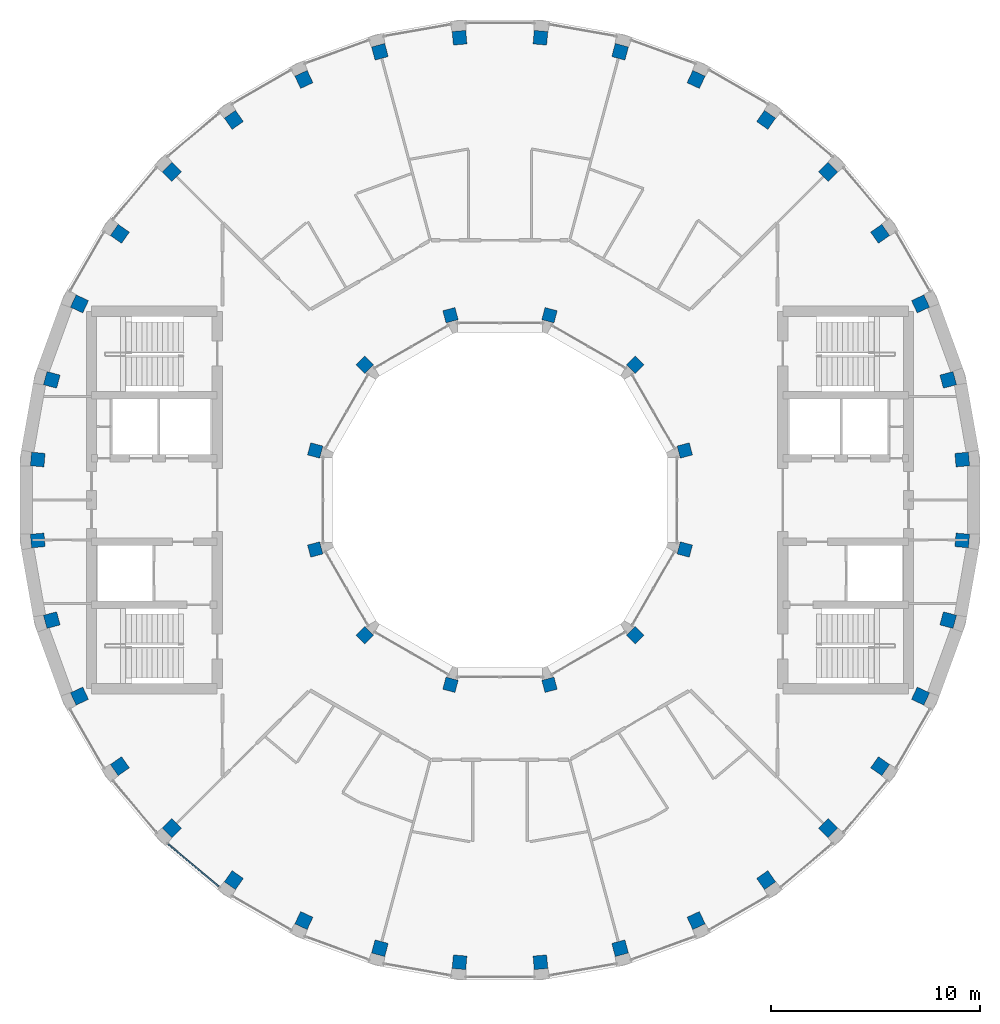
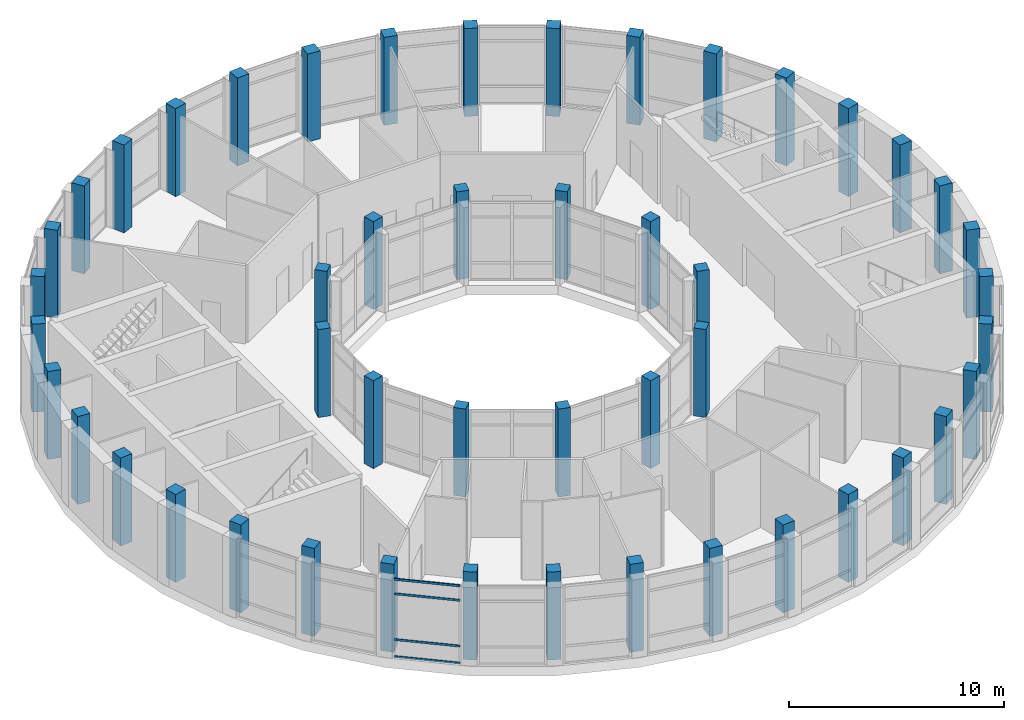
# One storey, part 1 of 16: 48 columns, 4 members, 1 element without a shape of its own.
"""IFC4 building model written with IfcOpenShell, lengths in metres."""

from ifc_helpers import new_model, si_unit, direction, frame, origin, origin_2d, place, context, subcontext, project, spatial, rectangle, extrude, material, layer, layer_set, material_profile, profile_set, type_object, element, aggregate, save


model = new_model("IFC4")

# Units and contexts
model_context = context("Model", 3, precision=1e-05, world=origin(), true_north=direction((0.0, 1.0)))
body_context = subcontext(model_context, "Body", "Model", "MODEL_VIEW")
ifc_project = project(units=[si_unit("LENGTHUNIT", "METRE"), si_unit("AREAUNIT", "SQUARE_METRE"), si_unit("VOLUMEUNIT", "CUBIC_METRE"), si_unit("PLANEANGLEUNIT", "RADIAN"), si_unit("MASSUNIT", "GRAM", prefix="KILO")], contexts=[model_context])

# Site, building, storey
site_placement = place(None, origin())
site = spatial("IfcSite", under=ifc_project, at=site_placement, CompositionType="ELEMENT")
building_placement = place(site_placement, origin())
building = spatial("IfcBuilding", under=site, at=building_placement, Name="Saqina Gate Tower", CompositionType="ELEMENT")
storey_placement = place(building_placement, frame((0.0, 0.0, 279.199951171875)))
storey = spatial("IfcBuildingStorey", under=building, at=storey_placement, Name="L80", CompositionType="ELEMENT", Elevation=279.199951171875)

# Columns
ifc_material_1 = material(Name="Concrete C60/75", Category="concrete")
ifc_material_profile_1 = material_profile(ifc_material_1, rectangle(XDim=0.60009765625, YDim=0.60009765625, at=origin_2d()), Name="RC 600x600")
ifc_profile_set_1 = profile_set([ifc_material_profile_1], Name="Concrete C60/75")
column_type_1 = type_object("IfcColumnType", Name="STR-COL-IN-D", PredefinedType="COLUMN", material=ifc_profile_set_1)
for number, where, z_axis, x_axis, name in (
    (1, (8.821044921875, 2.363525390625, 0.0), (0.0, 0.0, 1.0), (0.965925826289, 0.258819045103, 0.0), "L80-ICL01"),
    (2, (6.45751953125, 6.45751953125, 0.0), (0.0, 0.0, 1.0), (0.707106781187, 0.707106781187, 0.0), "L80-ICL02"),
    (3, (2.363525390625, 8.821044921875, 0.0), (0.0, 0.0, 1.0), (0.258819045103, 0.965925826289, 0.0), "L80-ICL03"),
    (4, (-2.363525390625, 8.821044921875, 0.0), (0.0, 0.0, 1.0), (-0.258819045103, 0.965925826289, 0.0), "L80-ICL04"),
    (5, (-6.45751953125, 6.45751953125, 0.0), (0.0, 0.0, 1.0), (-0.707106781187, 0.707106781187, 0.0), "L80-ICL05"),
    (6, (-8.821044921875, 2.363525390625, 0.0), (0.0, 0.0, 1.0), (-0.965925826289, 0.258819045103, 0.0), "L80-ICL06"),
    (7, (-8.821044921875, -2.363525390625, 0.0), (0.0, 0.0, 1.0), (-0.965925826289, -0.258819045103, 0.0), "L80-ICL07"),
    (8, (-6.45751953125, -6.45751953125, 0.0), (0.0, 0.0, 1.0), (-0.707106781187, -0.707106781187, 0.0), "L80-ICL08"),
    (9, (-2.363525390625, -8.821044921875, 0.0), (0.0, 0.0, 1.0), (-0.258819045103, -0.965925826289, 0.0), "L80-ICL09"),
    (10, (2.363525390625, -8.821044921875, 0.0), (0.0, 0.0, 1.0), (0.258819045103, -0.965925826289, 0.0), "L80-ICL10"),
    (11, (6.45751953125, -6.45751953125, 0.0), (0.0, 0.0, 1.0), (0.707106781187, -0.707106781187, 0.0), "L80-ICL11"),
    (12, (8.821044921875, -2.363525390625, 0.0), (0.0, 0.0, 1.0), (0.965925826289, -0.258819045103, 0.0), "L80-ICL12"),
):
    element("IfcColumn", number, at=place(storey_placement, frame(where, z_axis=z_axis, x_axis=x_axis)), inside=storey, type_object=column_type_1, Name=name, PredefinedType="COLUMN", context=body_context, shape_type="SweptSolid", body=[
        extrude(rectangle(XDim=0.60009765625, YDim=0.60009765625, at=origin_2d()), origin(), (0.0, 0.0, 1.0), 5.0),
    ])
ifc_material_2 = material(Name="Concrete C60/75", Category="concrete")
ifc_material_profile_2 = material_profile(ifc_material_2, rectangle(XDim=0.64990234375, YDim=0.64990234375, at=origin_2d()), Name="RC 650x650")
ifc_profile_set_2 = profile_set([ifc_material_profile_2], Name="Concrete C60/75")
column_type_2 = type_object("IfcColumnType", Name="STR-COL-OUT-D", PredefinedType="COLUMN", material=ifc_profile_set_2)
for number, where, z_axis, x_axis, name in (
    (13, (22.065673828125, 1.930419921875, 0.0), (0.0, 0.0, 1.0), (0.996194698092, 0.087155742748, 0.0), "L80-COL01"),
    (14, (21.395263671875, 5.73291015625, 0.0), (0.0, 0.0, 1.0), (0.965925826289, 0.258819045103, 0.0), "L80-COL02"),
    (15, (20.07470703125, 9.361083984375, 0.0), (0.0, 0.0, 1.0), (0.906307787037, 0.422618261741, 0.0), "L80-COL03"),
    (16, (18.144287109375, 12.704833984375, 0.0), (0.0, 0.0, 1.0), (0.819152044289, 0.573576436351, 0.0), "L80-COL04"),
    (17, (15.662353515625, 15.662353515625, 0.0), (0.0, 0.0, 1.0), (0.707106781187, 0.707106781187, 0.0), "L80-COL05"),
    (18, (12.704833984375, 18.144287109375, 0.0), (0.0, 0.0, 1.0), (0.573576436351, 0.819152044289, 0.0), "L80-COL06"),
    (19, (9.361083984375, 20.07470703125, 0.0), (0.0, 0.0, 1.0), (0.422618261741, 0.906307787037, 0.0), "L80-COL07"),
    (20, (5.73291015625, 21.395263671875, 0.0), (0.0, 0.0, 1.0), (0.258819045103, 0.965925826289, 0.0), "L80-COL08"),
    (21, (1.930419921875, 22.065673828125, 0.0), (0.0, 0.0, 1.0), (0.087155742748, 0.996194698092, 0.0), "L80-COL09"),
    (22, (-1.930419921875, 22.065673828125, 0.0), (0.0, 0.0, 1.0), (-0.087155742748, 0.996194698092, 0.0), "L80-COL10"),
    (23, (-5.73291015625, 21.395263671875, 0.0), (0.0, 0.0, 1.0), (-0.258819045103, 0.965925826289, 0.0), "L80-COL11"),
    (24, (-9.361083984375, 20.07470703125, 0.0), (0.0, 0.0, 1.0), (-0.422618261741, 0.906307787037, 0.0), "L80-COL12"),
    (25, (-12.704833984375, 18.144287109375, 0.0), (0.0, 0.0, 1.0), (-0.573576436351, 0.819152044289, 0.0), "L80-COL13"),
    (26, (-15.662353515625, 15.662353515625, 0.0), (0.0, 0.0, 1.0), (-0.707106781187, 0.707106781187, 0.0), "L80-COL14"),
    (27, (-18.144287109375, 12.704833984375, 0.0), (0.0, 0.0, 1.0), (-0.819152044289, 0.573576436351, 0.0), "L80-COL15"),
    (28, (-20.07470703125, 9.361083984375, 0.0), (0.0, 0.0, 1.0), (-0.906307787037, 0.422618261741, 0.0), "L80-COL16"),
    (29, (-21.395263671875, 5.73291015625, 0.0), (0.0, 0.0, 1.0), (-0.965925826289, 0.258819045103, 0.0), "L80-COL17"),
    (30, (-22.065673828125, 1.930419921875, 0.0), (0.0, 0.0, 1.0), (-0.996194698092, 0.087155742748, 0.0), "L80-COL18"),
    (31, (-22.065673828125, -1.930419921875, 0.0), (0.0, 0.0, 1.0), (-0.996194698092, -0.087155742748, 0.0), "L80-COL19"),
    (32, (-21.395263671875, -5.73291015625, 0.0), (0.0, 0.0, 1.0), (-0.965925826289, -0.258819045103, 0.0), "L80-COL20"),
    (33, (-20.07470703125, -9.361083984375, 0.0), (0.0, 0.0, 1.0), (-0.906307787037, -0.422618261741, 0.0), "L80-COL21"),
    (34, (-18.144287109375, -12.704833984375, 0.0), (0.0, 0.0, 1.0), (-0.819152044289, -0.573576436351, 0.0), "L80-COL22"),
    (35, (-15.662353515625, -15.662353515625, 0.0), (0.0, 0.0, 1.0), (-0.707106781187, -0.707106781187, 0.0), "L80-COL23"),
    (36, (-12.704833984375, -18.144287109375, 0.0), (0.0, 0.0, 1.0), (-0.573576436351, -0.819152044289, 0.0), "L80-COL24"),
    (37, (-9.361083984375, -20.07470703125, 0.0), (0.0, 0.0, 1.0), (-0.422618261741, -0.906307787037, 0.0), "L80-COL25"),
    (38, (-5.73291015625, -21.395263671875, 0.0), (0.0, 0.0, 1.0), (-0.258819045103, -0.965925826289, 0.0), "L80-COL26"),
    (39, (-1.930419921875, -22.065673828125, 0.0), (0.0, 0.0, 1.0), (-0.087155742748, -0.996194698092, 0.0), "L80-COL27"),
    (40, (1.930419921875, -22.065673828125, 0.0), (0.0, 0.0, 1.0), (0.087155742748, -0.996194698092, 0.0), "L80-COL28"),
    (41, (5.73291015625, -21.395263671875, 0.0), (0.0, 0.0, 1.0), (0.258819045103, -0.965925826289, 0.0), "L80-COL29"),
    (42, (9.361083984375, -20.07470703125, 0.0), (0.0, 0.0, 1.0), (0.422618261741, -0.906307787037, 0.0), "L80-COL30"),
    (43, (12.704833984375, -18.144287109375, 0.0), (0.0, 0.0, 1.0), (0.573576436351, -0.819152044289, 0.0), "L80-COL31"),
    (44, (15.662353515625, -15.662353515625, 0.0), (0.0, 0.0, 1.0), (0.707106781187, -0.707106781187, 0.0), "L80-COL32"),
    (45, (18.144287109375, -12.704833984375, 0.0), (0.0, 0.0, 1.0), (0.819152044289, -0.573576436351, 0.0), "L80-COL33"),
    (46, (20.07470703125, -9.361083984375, 0.0), (0.0, 0.0, 1.0), (0.906307787037, -0.422618261741, 0.0), "L80-COL34"),
    (47, (21.395263671875, -5.73291015625, 0.0), (0.0, 0.0, 1.0), (0.965925826289, -0.258819045103, 0.0), "L80-COL35"),
    (48, (22.065673828125, -1.930419921875, 0.0), (0.0, 0.0, 1.0), (0.996194698092, -0.087155742748, 0.0), "L80-COL36"),
):
    element("IfcColumn", number, at=place(storey_placement, frame(where, z_axis=z_axis, x_axis=x_axis)), inside=storey, type_object=column_type_2, Name=name, PredefinedType="COLUMN", context=body_context, shape_type="SweptSolid", body=[
        extrude(rectangle(XDim=0.64990234375, YDim=0.64990234375, at=origin_2d()), origin(), (0.0, 0.0, 1.0), 5.0),
    ])

# Curtain wall, members
ifc_material_3 = material(Name="Aluminium glazing", Category="aluminium")
ifc_layer = layer(ifc_material_3, 0.159912109375)
ifc_layer_set = layer_set([ifc_layer], Name="CWT-2")
curtain_wall_type = type_object("IfcCurtainWallType", Name="CWT-2", PredefinedType="NOTDEFINED", material=ifc_layer_set)
curtain_wall_placement = place(storey_placement, origin())
curtain_wall = element("IfcCurtainWall", 49, at=curtain_wall_placement, inside=storey, type_object=curtain_wall_type, Name="Sky lounge glazing facet 23", PredefinedType="NOTDEFINED")
ifc_material_4 = material(Name="Aluminium", Category="aluminium")
ifc_material_profile_3 = material_profile(ifc_material_4, rectangle(XDim=0.06005859375, YDim=0.1201171875, at=origin_2d()), Name="Aluminium 60x120")
ifc_profile_set_3 = profile_set([ifc_material_profile_3], Name="Aluminium")
member_type = type_object("IfcMemberType", Name="CWT-2T", PredefinedType="USERDEFINED", material=ifc_profile_set_3)
member_1_placement = place(storey_placement, frame((-15.8310546875, -16.4306640625, 0.030029296875), z_axis=(0.766076382206, -0.642749544244, 0.0), x_axis=(0.642749544244, 0.766076382206, 0.0)))
member_1 = element("IfcMember", 50, at=member_1_placement, type_object=member_type, Name="CW2-23 transom 1.1", ObjectType="TRANSOM", PredefinedType="USERDEFINED", context=body_context, shape_type="SweptSolid", body=[
    extrude(rectangle(XDim=0.06005859375, YDim=0.1201171875, at=origin_2d()), origin(), (0.0, 0.0, 1.0), 3.1318359375),
])
member_2_placement = place(storey_placement, frame((-15.8310546875, -16.4306640625, 1.0), z_axis=(0.766076382206, -0.642749544244, 0.0), x_axis=(0.642749544244, 0.766076382206, 0.0)))
member_2 = element("IfcMember", 51, at=member_2_placement, type_object=member_type, Name="CW2-23 transom 1.2", ObjectType="TRANSOM", PredefinedType="USERDEFINED", context=body_context, shape_type="SweptSolid", body=[
    extrude(rectangle(XDim=0.06005859375, YDim=0.1201171875, at=origin_2d()), origin(), (0.0, 0.0, 1.0), 3.1318359375),
])
member_3_placement = place(storey_placement, frame((-15.8310546875, -16.4306640625, 3.60009765625), z_axis=(0.766076382206, -0.642749544244, 0.0), x_axis=(0.642749544244, 0.766076382206, 0.0)))
member_3 = element("IfcMember", 52, at=member_3_placement, type_object=member_type, Name="CW2-23 transom 1.3", ObjectType="TRANSOM", PredefinedType="USERDEFINED", context=body_context, shape_type="SweptSolid", body=[
    extrude(rectangle(XDim=0.06005859375, YDim=0.1201171875, at=origin_2d()), origin(), (0.0, 0.0, 1.0), 3.1318359375),
])
member_4_placement = place(storey_placement, frame((-15.8310546875, -16.4306640625, 4.420166015625), z_axis=(0.766076382206, -0.642749544244, 0.0), x_axis=(0.642749544244, 0.766076382206, 0.0)))
member_4 = element("IfcMember", 53, at=member_4_placement, type_object=member_type, Name="CW2-23 transom 1.4", ObjectType="TRANSOM", PredefinedType="USERDEFINED", context=body_context, shape_type="SweptSolid", body=[
    extrude(rectangle(XDim=0.06005859375, YDim=0.1201171875, at=origin_2d()), origin(), (0.0, 0.0, 1.0), 3.1318359375),
])
aggregate(curtain_wall, [member_1, member_2, member_3, member_4])

save(model, "model.ifc")
